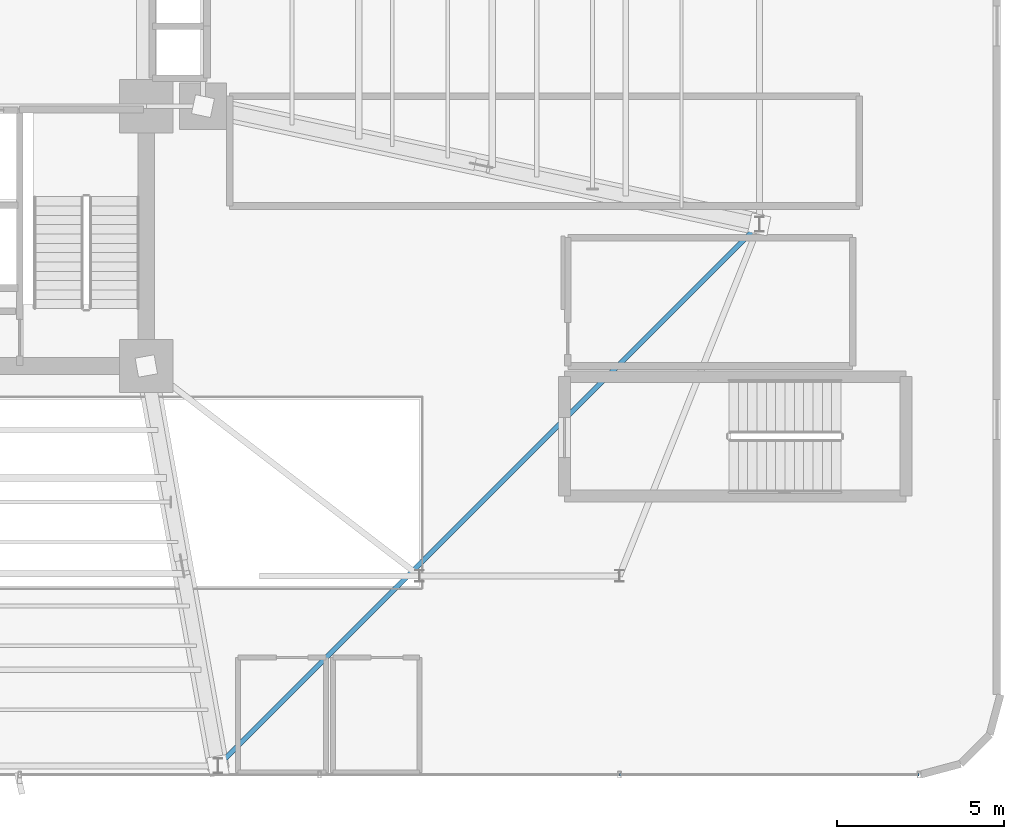
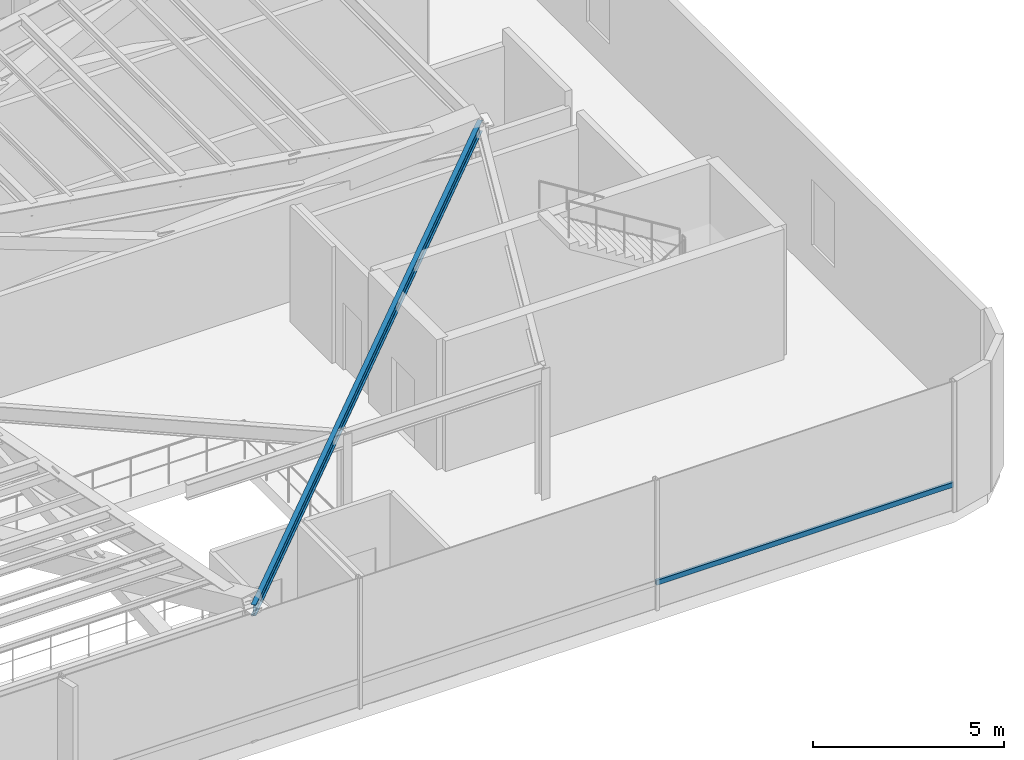
# One storey, part 10 of 32: 1 beam, 1 member, 1 element without a shape of its own.
"""IFC4 building model written with IfcOpenShell, lengths in metres."""

from ifc_helpers import new_model, si_unit, direction, frame, origin, origin_2d, place, context, subcontext, project, spatial, hollow_rectangle, i_section, extrude, source, transform, mapped, material, material_profile, profile_set, type_object, element, aggregate, save


model = new_model("IFC4")

# Units and contexts
model_context = context("Model", 3, precision=1e-05, world=origin(), true_north=direction((0.0, 1.0)))
body_context = subcontext(model_context, "Body", "Model", "MODEL_VIEW")
ifc_project = project(units=[si_unit("LENGTHUNIT", "METRE"), si_unit("AREAUNIT", "SQUARE_METRE"), si_unit("VOLUMEUNIT", "CUBIC_METRE"), si_unit("PLANEANGLEUNIT", "RADIAN"), si_unit("MASSUNIT", "GRAM", prefix="KILO")], contexts=[model_context])

# Site, building, storey
site_placement = place(None, origin())
site = spatial("IfcSite", under=ifc_project, at=site_placement, CompositionType="ELEMENT")
building_placement = place(site_placement, origin())
building = spatial("IfcBuilding", under=site, at=building_placement, Name="Sahyath Konkavel Grand Hotel", CompositionType="ELEMENT")
storey_placement = place(building_placement, frame((0.0, 0.0, 14.10009765625)))
storey = spatial("IfcBuildingStorey", under=building, at=storey_placement, Name="L03", CompositionType="ELEMENT", Elevation=14.10009765625)

# Beam
ifc_material_1 = material(Name="Steel E350", Category="steel")
ifc_material_profile_1 = material_profile(ifc_material_1, i_section(OverallWidth=0.139892578125, OverallDepth=0.35009765625, WebThickness=0.008056640625, FlangeThickness=0.01416015625, FilletRadius=0.013916015625, at=origin_2d()), Name="ISMB 350")
ifc_profile_set_1 = profile_set([ifc_material_profile_1], Name="Steel E350")
beam_type = type_object("IfcBeamType", Name="BM-ISMB350", PredefinedType="BEAM", material=ifc_profile_set_1)
shared_shape_1 = source(origin(), body_context, "Body", "SweptSolid", [
    extrude(i_section(OverallWidth=0.139892578125, OverallDepth=0.35009765625, WebThickness=0.008056640625, FlangeThickness=0.01416015625, FilletRadius=0.013916015625, at=origin_2d()), origin(), (0.0, 0.0, 1.0), 22.98095703125),
])
beam_placement = place(storey_placement, frame((22.199951171875, -5.949951171875, 4.0048828125), z_axis=(-0.707106781187, -0.707106781187, 0.0), x_axis=(0.707106781187, -0.707106781187, 0.0)))
element("IfcBeam", 1, at=beam_placement, inside=storey, type_object=beam_type, Name="L03 Re-Entrant Tie Beam SE", PredefinedType="BEAM", context=body_context, shape_type="MappedRepresentation", body=[
    mapped(shared_shape_1, transform((0.0, 0.0, 0.0), scale=1.0)),
])

# Curtain wall, member
ifc_material_2 = material(Name="Anodised Bronze Aluminium & Low-E Glazing", Category="aluminium")
curtain_wall_type = type_object("IfcCurtainWallType", Name="CW-PODIUM", PredefinedType="NOTDEFINED", material=ifc_material_2)
curtain_wall_placement = place(storey_placement, origin())
curtain_wall = element("IfcCurtainWall", 2, at=curtain_wall_placement, inside=storey, type_object=curtain_wall_type, Name="L03 Unitised Curtain Wall S", PredefinedType="NOTDEFINED")
ifc_material_3 = material(Name="Anodised Bronze Aluminium", Category="aluminium")
ifc_material_profile_2 = material_profile(ifc_material_3, hollow_rectangle(XDim=0.080078125, YDim=0.159912109375, WallThickness=0.006103515625, at=origin_2d()), Name="RHS 160x80x6")
ifc_profile_set_2 = profile_set([ifc_material_profile_2], Name="Anodised Bronze Aluminium")
member_type = type_object("IfcMemberType", Name="CW-TRN-160", PredefinedType="USERDEFINED", material=ifc_profile_set_2)
shared_shape_2 = source(origin(), body_context, "Body", "SweptSolid", [
    extrude(hollow_rectangle(XDim=0.080078125, YDim=0.159912109375, WallThickness=0.006103515625, at=origin_2d()), origin(), (0.0, 0.0, 1.0), 8.998779296875),
])
member_placement = place(storey_placement, frame((17.997314453125, -22.465087890625, 0.849853515625), z_axis=(1.0, 0.0, 0.0), x_axis=(0.0, 1.0, 0.0)))
member = element("IfcMember", 3, at=member_placement, type_object=member_type, Name="L03 Curtain Wall Transom S-5-spandrel", ObjectType="TRANSOM", PredefinedType="USERDEFINED", context=body_context, shape_type="MappedRepresentation", body=[
    mapped(shared_shape_2, transform((0.0, 0.0, 0.0), scale=1.0)),
])
aggregate(curtain_wall, [member])

save(model, "model.ifc")
